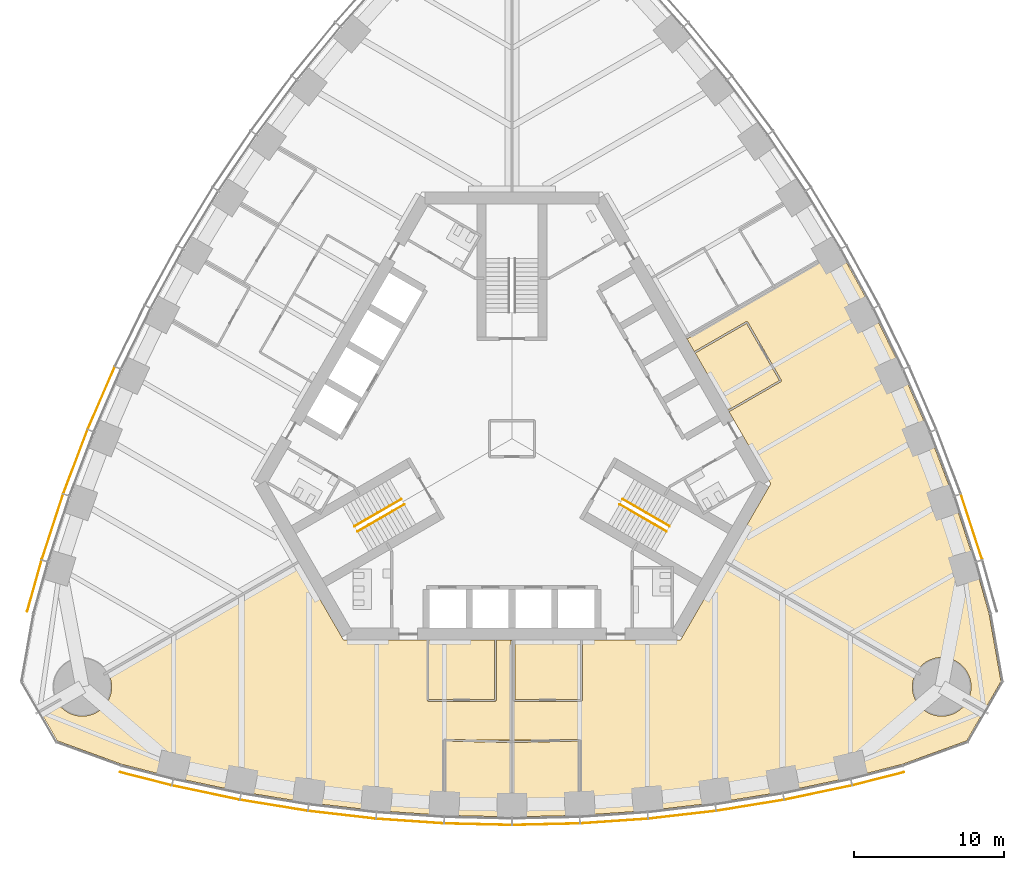
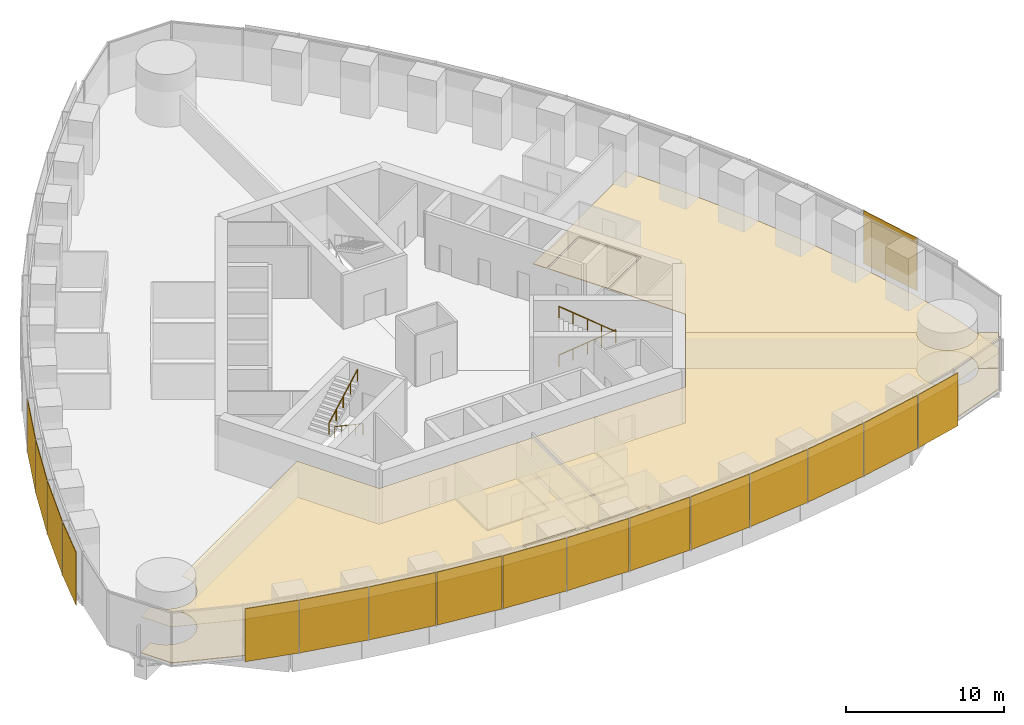
# One storey, part 14 of 18: 17 shading devices, 8 coverings, 4 railings.
"""IFC4 building model written with IfcOpenShell, lengths in metres."""

from ifc_helpers import new_model, si_unit, direction, frame, origin, origin_2d, place, context, subcontext, project, spatial, polyline, rectangle, circle, outline, extrude, material, layer, layer_set, type_object, element, save


model = new_model("IFC4")

# Units and contexts
model_context = context("Model", 3, precision=1e-05, world=origin(), true_north=direction((0.0, 1.0)))
body_context = subcontext(model_context, "Body", "Model", "MODEL_VIEW")
ifc_project = project(units=[si_unit("LENGTHUNIT", "METRE"), si_unit("AREAUNIT", "SQUARE_METRE"), si_unit("VOLUMEUNIT", "CUBIC_METRE"), si_unit("PLANEANGLEUNIT", "RADIAN"), si_unit("MASSUNIT", "GRAM", prefix="KILO")], contexts=[model_context])

# Site, building, storey
site_placement = place(None, origin())
site = spatial("IfcSite", under=ifc_project, at=site_placement, CompositionType="ELEMENT")
building_placement = place(site_placement, origin())
building = spatial("IfcBuilding", under=site, at=building_placement, Name="Trefoil Bronze Tower", CompositionType="ELEMENT")
storey_placement = place(building_placement, frame((0.0, 0.0, 202.300048828125)))
storey = spatial("IfcBuildingStorey", under=building, at=storey_placement, Name="L46", CompositionType="ELEMENT", Elevation=202.300048828125)

# Shading devices
ifc_material_1 = material(Name="Perforated bronze sheet", Category="bronze")
ifc_layer_1 = layer(ifc_material_1, 0.0400390625)
ifc_layer_set_1 = layer_set([ifc_layer_1], Name="Bronze solar screen panel")
shading_device_type = type_object("IfcShadingDeviceType", Name="Bronze solar screen panel", PredefinedType="SHUTTER", material=ifc_layer_set_1)
shading_device_1_placement = place(storey_placement, frame((-24.360107421875, -22.614501953125, 0.0498046875), z_axis=(0.0, 0.0, 1.0), x_axis=(0.968934035393, -0.247319297786, 0.0)))
element("IfcShadingDevice", 1, at=shading_device_1_placement, inside=storey, type_object=shading_device_type, Name="Solar screen CW-A L46 F1 bay 1", PredefinedType="SHUTTER", context=body_context, shape_type="SweptSolid", body=[
    extrude(rectangle(XDim=3.53369140625, YDim=0.0400390625, at=origin_2d()), origin(), (0.0, 0.0, 1.0), 4.10009765625),
])
shading_device_2_placement = place(storey_placement, frame((-20.361572265625, -23.535888671875, 0.0498046875), z_axis=(0.0, 0.0, 1.0), x_axis=(0.978394335897, -0.20674748725, 0.0)))
element("IfcShadingDevice", 2, at=shading_device_2_placement, inside=storey, type_object=shading_device_type, Name="Solar screen CW-A L46 F1 bay 2", PredefinedType="SHUTTER", context=body_context, shape_type="SweptSolid", body=[
    extrude(rectangle(XDim=4.5693359375, YDim=0.0400390625, at=origin_2d()), origin(), (0.0, 0.0, 1.0), 4.10009765625),
])
shading_device_3_placement = place(storey_placement, frame((-15.8369140625, -24.382568359375, 0.0498046875), z_axis=(0.0, 0.0, 1.0), x_axis=(0.986986549528, -0.160802832848, 0.0)))
element("IfcShadingDevice", 3, at=shading_device_3_placement, inside=storey, type_object=shading_device_type, Name="Solar screen CW-A L46 F1 bay 3", PredefinedType="SHUTTER", context=body_context, shape_type="SweptSolid", body=[
    extrude(rectangle(XDim=4.529296875, YDim=0.0400390625, at=origin_2d()), origin(), (0.0, 0.0, 1.0), 4.10009765625),
])
shading_device_4_placement = place(storey_placement, frame((-11.31201171875, -25.0126953125, 0.0498046875), z_axis=(0.0, 0.0, 1.0), x_axis=(0.993381831741, -0.114858767043, 0.0)))
element("IfcShadingDevice", 4, at=shading_device_4_placement, inside=storey, type_object=shading_device_type, Name="Solar screen CW-A L46 F1 bay 4", PredefinedType="SHUTTER", context=body_context, shape_type="SweptSolid", body=[
    extrude(rectangle(XDim=4.5, YDim=0.0400390625, at=origin_2d()), origin(), (0.0, 0.0, 1.0), 4.10009765625),
])
shading_device_5_placement = place(storey_placement, frame((-6.787109375, -25.430419921875, 0.0498046875), z_axis=(0.0, 0.0, 1.0), x_axis=(0.99762252804, -0.068915103905, 0.0)))
element("IfcShadingDevice", 5, at=shading_device_5_placement, inside=storey, type_object=shading_device_type, Name="Solar screen CW-A L46 F1 bay 5", PredefinedType="SHUTTER", context=body_context, shape_type="SweptSolid", body=[
    extrude(rectangle(XDim=4.480712890625, YDim=0.0400390625, at=origin_2d()), origin(), (0.0, 0.0, 1.0), 4.10009765625),
])
for number, where, z_axis, x_axis, name in (
    (6, (-2.262451171875, -25.638671875, 0.0498046875), (0.0, 0.0, 1.0), (0.999736116243, -0.022971675577, 0.0), "Solar screen CW-A L46 F1 bay 6"),
    (7, (2.262451171875, -25.638671875, 0.0498046875), (0.0, 0.0, 1.0), (0.999736116243, 0.022971675577, 0.0), "Solar screen CW-A L46 F1 bay 7"),
):
    element("IfcShadingDevice", number, at=place(storey_placement, frame(where, z_axis=z_axis, x_axis=x_axis)), inside=storey, type_object=shading_device_type, Name=name, PredefinedType="SHUTTER", context=body_context, shape_type="SweptSolid", body=[
        extrude(rectangle(XDim=4.47119140625, YDim=0.0400390625, at=origin_2d()), origin(), (0.0, 0.0, 1.0), 4.10009765625),
    ])
shading_device_6_placement = place(storey_placement, frame((6.787109375, -25.430419921875, 0.0498046875), z_axis=(0.0, 0.0, 1.0), x_axis=(0.99762252804, 0.068915103905, 0.0)))
element("IfcShadingDevice", 8, at=shading_device_6_placement, inside=storey, type_object=shading_device_type, Name="Solar screen CW-A L46 F1 bay 8", PredefinedType="SHUTTER", context=body_context, shape_type="SweptSolid", body=[
    extrude(rectangle(XDim=4.480712890625, YDim=0.0400390625, at=origin_2d()), origin(), (0.0, 0.0, 1.0), 4.10009765625),
])
shading_device_7_placement = place(storey_placement, frame((11.31201171875, -25.0126953125, 0.0498046875), z_axis=(0.0, 0.0, 1.0), x_axis=(0.993381831741, 0.114858767043, 0.0)))
element("IfcShadingDevice", 9, at=shading_device_7_placement, inside=storey, type_object=shading_device_type, Name="Solar screen CW-A L46 F1 bay 9", PredefinedType="SHUTTER", context=body_context, shape_type="SweptSolid", body=[
    extrude(rectangle(XDim=4.5, YDim=0.0400390625, at=origin_2d()), origin(), (0.0, 0.0, 1.0), 4.10009765625),
])
shading_device_8_placement = place(storey_placement, frame((15.8369140625, -24.382568359375, 0.0498046875), z_axis=(0.0, 0.0, 1.0), x_axis=(0.986986549528, 0.160802832848, 0.0)))
element("IfcShadingDevice", 10, at=shading_device_8_placement, inside=storey, type_object=shading_device_type, Name="Solar screen CW-A L46 F1 bay 10", PredefinedType="SHUTTER", context=body_context, shape_type="SweptSolid", body=[
    extrude(rectangle(XDim=4.529296875, YDim=0.0400390625, at=origin_2d()), origin(), (0.0, 0.0, 1.0), 4.10009765625),
])
shading_device_9_placement = place(storey_placement, frame((20.361572265625, -23.535888671875, 0.0498046875), z_axis=(0.0, 0.0, 1.0), x_axis=(0.978394335897, 0.20674748725, 0.0)))
element("IfcShadingDevice", 11, at=shading_device_9_placement, inside=storey, type_object=shading_device_type, Name="Solar screen CW-A L46 F1 bay 11", PredefinedType="SHUTTER", context=body_context, shape_type="SweptSolid", body=[
    extrude(rectangle(XDim=4.5693359375, YDim=0.0400390625, at=origin_2d()), origin(), (0.0, 0.0, 1.0), 4.10009765625),
])
shading_device_10_placement = place(storey_placement, frame((24.360107421875, -22.614501953125, 0.0498046875), z_axis=(0.0, 0.0, 1.0), x_axis=(0.968934035393, 0.247319297786, 0.0)))
element("IfcShadingDevice", 12, at=shading_device_10_placement, inside=storey, type_object=shading_device_type, Name="Solar screen CW-A L46 F1 bay 12", PredefinedType="SHUTTER", context=body_context, shape_type="SweptSolid", body=[
    extrude(rectangle(XDim=3.53369140625, YDim=0.0400390625, at=origin_2d()), origin(), (0.0, 0.0, 1.0), 4.10009765625),
])
shading_device_11_placement = place(storey_placement, frame((30.5634765625, -5.86572265625, 0.0498046875), z_axis=(0.0, 0.0, 1.0), x_axis=(-0.310148591821, 0.950688093431, 0.0)))
element("IfcShadingDevice", 13, at=shading_device_11_placement, inside=storey, type_object=shading_device_type, Name="Solar screen CW-A L46 F2 bay 2", PredefinedType="SHUTTER", context=body_context, shape_type="SweptSolid", body=[
    extrude(rectangle(XDim=4.5693359375, YDim=0.0400390625, at=origin_2d()), origin(), (0.0, 0.0, 1.0), 4.10009765625),
])
shading_device_12_placement = place(storey_placement, frame((-27.317626953125, 2.709716796875, 0.0498046875), z_axis=(0.0, 0.0, 1.0), x_axis=(-0.397220305764, -0.917723285467, 0.0)))
element("IfcShadingDevice", 14, at=shading_device_12_placement, inside=storey, type_object=shading_device_type, Name="Solar screen CW-A L46 F3 bay 9", PredefinedType="SHUTTER", context=body_context, shape_type="SweptSolid", body=[
    extrude(rectangle(XDim=4.5, YDim=0.0400390625, at=origin_2d()), origin(), (0.0, 0.0, 1.0), 4.10009765625),
])
shading_device_13_placement = place(storey_placement, frame((-29.0341796875, -1.52392578125, 0.0498046875), z_axis=(0.0, 0.0, 1.0), x_axis=(-0.354233936517, -0.935156841508, 0.0)))
element("IfcShadingDevice", 15, at=shading_device_13_placement, inside=storey, type_object=shading_device_type, Name="Solar screen CW-A L46 F3 bay 10", PredefinedType="SHUTTER", context=body_context, shape_type="SweptSolid", body=[
    extrude(rectangle(XDim=4.529296875, YDim=0.0400390625, at=origin_2d()), origin(), (0.0, 0.0, 1.0), 4.10009765625),
])
shading_device_14_placement = place(storey_placement, frame((-30.5634765625, -5.86572265625, 0.0498046875), z_axis=(0.0, 0.0, 1.0), x_axis=(-0.310148591821, -0.950688093431, 0.0)))
element("IfcShadingDevice", 16, at=shading_device_14_placement, inside=storey, type_object=shading_device_type, Name="Solar screen CW-A L46 F3 bay 11", PredefinedType="SHUTTER", context=body_context, shape_type="SweptSolid", body=[
    extrude(rectangle(XDim=4.5693359375, YDim=0.0400390625, at=origin_2d()), origin(), (0.0, 0.0, 1.0), 4.10009765625),
])
shading_device_15_placement = place(storey_placement, frame((-31.764892578125, -9.7890625, 0.0498046875), z_axis=(0.0, 0.0, 1.0), x_axis=(-0.270282222968, -0.962781138134, 0.0)))
element("IfcShadingDevice", 17, at=shading_device_15_placement, inside=storey, type_object=shading_device_type, Name="Solar screen CW-A L46 F3 bay 12", PredefinedType="SHUTTER", context=body_context, shape_type="SweptSolid", body=[
    extrude(rectangle(XDim=3.53369140625, YDim=0.0400390625, at=origin_2d()), origin(), (0.0, 0.0, 1.0), 4.10009765625),
])

# Railings
ifc_material_2 = material(Name="Steel handrail", Category="steel")
railing_type = type_object("IfcRailingType", Name="Handrail 900", PredefinedType="HANDRAIL", material=ifc_material_2)
railing_1_placement = place(storey_placement, frame((7.365966796875, -4.021728515625, 0.161376953125)))
element("IfcRailing", 18, at=railing_1_placement, inside=storey, type_object=railing_type, Name="Handrail ST1 flight 1 L46", PredefinedType="HANDRAIL", context=body_context, shape_type="SweptSolid", body=[
    extrude(circle(Radius=0.02392578125, at=origin_2d()), frame((0.0, 0.0, 0.8759765625), z_axis=(0.76250339821, -0.440245697338, 0.474101564745), x_axis=(0.500012057535, 0.866018442252, 0.0)), (0.0, 0.0, 1.0), 4.088623046875),
    extrude(circle(Radius=0.02099609375, at=origin_2d()), origin(), (0.0, 0.0, 1.0), 0.851806640625),
    extrude(circle(Radius=0.02099609375, at=origin_2d()), frame((0.779296875, -0.449951171875, 0.484619140625)), (0.0, 0.0, 1.0), 0.851806640625),
    extrude(circle(Radius=0.02099609375, at=origin_2d()), frame((1.558837890625, -0.89990234375, 0.96923828125)), (0.0, 0.0, 1.0), 0.851806640625),
    extrude(circle(Radius=0.02099609375, at=origin_2d()), frame((2.33837890625, -1.35009765625, 1.453857421875)), (0.0, 0.0, 1.0), 0.851806640625),
    extrude(circle(Radius=0.02099609375, at=origin_2d()), frame((3.11767578125, -1.800048828125, 1.9384765625)), (0.0, 0.0, 1.0), 0.851806640625),
])
railing_2_placement = place(storey_placement, frame((10.28369140625, -6.168212890625, 2.261474609375)))
element("IfcRailing", 19, at=railing_2_placement, inside=storey, type_object=railing_type, Name="Handrail ST1 flight 2 L46", PredefinedType="HANDRAIL", context=body_context, shape_type="SweptSolid", body=[
    extrude(circle(Radius=0.02392578125, at=origin_2d()), frame((0.0, 0.0, 0.8759765625), z_axis=(-0.76250339821, 0.440245697338, 0.474101564745), x_axis=(-0.500012057535, -0.866018442252, 0.0)), (0.0, 0.0, 1.0), 4.088623046875),
    extrude(circle(Radius=0.02099609375, at=origin_2d()), origin(), (0.0, 0.0, 1.0), 0.851806640625),
    extrude(circle(Radius=0.02099609375, at=origin_2d()), frame((-0.779296875, 0.449951171875, 0.484619140625)), (0.0, 0.0, 1.0), 0.851806640625),
    extrude(circle(Radius=0.02099609375, at=origin_2d()), frame((-1.558837890625, 0.89990234375, 0.96923828125)), (0.0, 0.0, 1.0), 0.851806640625),
    extrude(circle(Radius=0.02099609375, at=origin_2d()), frame((-2.33837890625, 1.35009765625, 1.453857421875)), (0.0, 0.0, 1.0), 0.851806640625),
    extrude(circle(Radius=0.02099609375, at=origin_2d()), frame((-3.11767578125, 1.800048828125, 1.9384765625)), (0.0, 0.0, 1.0), 0.851806640625),
])
railing_3_placement = place(storey_placement, frame((-7.166015625, -4.3681640625, 0.161376953125)))
element("IfcRailing", 20, at=railing_3_placement, inside=storey, type_object=railing_type, Name="Handrail ST3 flight 1 L46", PredefinedType="HANDRAIL", context=body_context, shape_type="SweptSolid", body=[
    extrude(circle(Radius=0.02392578125, at=origin_2d()), frame((0.0, 0.0, 0.8759765625), z_axis=(-0.76250339821, -0.440245697338, 0.474101564745), x_axis=(0.500012057535, -0.866018442252, 0.0)), (0.0, 0.0, 1.0), 4.088623046875),
    extrude(circle(Radius=0.02099609375, at=origin_2d()), origin(), (0.0, 0.0, 1.0), 0.851806640625),
    extrude(circle(Radius=0.02099609375, at=origin_2d()), frame((-0.779296875, -0.449951171875, 0.484619140625)), (0.0, 0.0, 1.0), 0.851806640625),
    extrude(circle(Radius=0.02099609375, at=origin_2d()), frame((-1.558837890625, -0.89990234375, 0.96923828125)), (0.0, 0.0, 1.0), 0.851806640625),
    extrude(circle(Radius=0.02099609375, at=origin_2d()), frame((-2.33837890625, -1.35009765625, 1.453857421875)), (0.0, 0.0, 1.0), 0.851806640625),
    extrude(circle(Radius=0.02099609375, at=origin_2d()), frame((-3.11767578125, -1.800048828125, 1.9384765625)), (0.0, 0.0, 1.0), 0.851806640625),
])
railing_4_placement = place(storey_placement, frame((-10.483642578125, -5.82177734375, 2.261474609375)))
element("IfcRailing", 21, at=railing_4_placement, inside=storey, type_object=railing_type, Name="Handrail ST3 flight 2 L46", PredefinedType="HANDRAIL", context=body_context, shape_type="SweptSolid", body=[
    extrude(circle(Radius=0.02392578125, at=origin_2d()), frame((0.0, 0.0, 0.8759765625), z_axis=(0.76250339821, 0.440245697338, 0.474101564745), x_axis=(-0.500012057535, 0.866018442252, 0.0)), (0.0, 0.0, 1.0), 4.088623046875),
    extrude(circle(Radius=0.02099609375, at=origin_2d()), origin(), (0.0, 0.0, 1.0), 0.851806640625),
    extrude(circle(Radius=0.02099609375, at=origin_2d()), frame((0.779296875, 0.449951171875, 0.484619140625)), (0.0, 0.0, 1.0), 0.851806640625),
    extrude(circle(Radius=0.02099609375, at=origin_2d()), frame((1.558837890625, 0.89990234375, 0.96923828125)), (0.0, 0.0, 1.0), 0.851806640625),
    extrude(circle(Radius=0.02099609375, at=origin_2d()), frame((2.33837890625, 1.35009765625, 1.453857421875)), (0.0, 0.0, 1.0), 0.851806640625),
    extrude(circle(Radius=0.02099609375, at=origin_2d()), frame((3.11767578125, 1.800048828125, 1.9384765625)), (0.0, 0.0, 1.0), 0.851806640625),
])

# Coverings
ifc_material_3 = material(Name="Acoustic ceiling panels", Category="mineral fibre")
ifc_layer_2 = layer(ifc_material_3, 0.02001953125)
ifc_layer_set_2 = layer_set([ifc_layer_2], Name="Office ceiling 20")
covering_type_1 = type_object("IfcCoveringType", Name="Office ceiling 20", PredefinedType="CEILING", material=ifc_layer_set_2)
covering_1_placement = place(storey_placement, frame((0.0, 0.0, 2.89990234375)))
element("IfcCovering", 22, at=covering_1_placement, inside=storey, type_object=covering_type_1, Name="Ceiling L46 Open-plan office F1", PredefinedType="CEILING", context=body_context, shape_type="SweptSolid", body=[
    extrude(outline(polyline([(-30.2001953125, -17.58349609375), (-30.14501953125, -17.66162109375), (-30.086181640625, -17.737060546875), (-30.023681640625, -17.8095703125), (-29.957763671875, -17.87890625), (-29.888427734375, -17.94482421875), (-29.81591796875, -18.00732421875), (-29.740478515625, -18.06640625), (-29.662109375, -18.121337890625), (-29.581298828125, -18.172607421875), (-29.498046875, -18.2197265625), (-29.41259765625, -18.2626953125), (-29.3251953125, -18.301513671875), (-29.23583984375, -18.3359375), (-29.14501953125, -18.365966796875), (-29.052490234375, -18.3916015625), (-28.959228515625, -18.41259765625), (-28.864990234375, -18.428955078125), (-28.77001953125, -18.440673828125), (-28.674560546875, -18.44775390625), (-28.578857421875, -18.449951171875), (-28.483154296875, -18.44775390625), (-28.3876953125, -18.440673828125), (-28.292724609375, -18.428955078125), (-28.198486328125, -18.41259765625), (-28.10498046875, -18.3916015625), (-28.0126953125, -18.365966796875), (-27.921875, -18.3359375), (-27.83251953125, -18.301513671875), (-27.7451171875, -18.2626953125), (-27.65966796875, -18.2197265625), (-27.576416015625, -18.172607421875), (-27.49560546875, -18.121337890625), (-27.417236328125, -18.06640625), (-27.341796875, -18.00732421875), (-27.269287109375, -17.94482421875), (-27.199951171875, -17.87890625), (-27.134033203125, -17.8095703125), (-27.071533203125, -17.737060546875), (-27.0126953125, -17.66162109375), (-26.95751953125, -17.58349609375), (-26.90625, -17.50244140625), (-26.859130859375, -17.419189453125), (-26.816162109375, -17.333740234375), (-26.77734375, -17.24609375), (-26.742919921875, -17.156982421875), (-26.712890625, -17.066162109375), (-26.687255859375, -16.973876953125), (-26.666259765625, -16.88037109375), (-26.64990234375, -16.7861328125), (-26.63818359375, -16.691162109375), (-26.631103515625, -16.595703125), (-26.62890625, -16.5), (-26.631103515625, -16.404296875), (-26.63818359375, -16.308837890625), (-26.64990234375, -16.2138671875), (-26.666259765625, -16.11962890625), (-26.687255859375, -16.026123046875), (-26.712890625, -15.933837890625), (-26.742919921875, -15.843017578125), (-26.77734375, -15.75390625), (-26.816162109375, -15.666259765625), (-26.859130859375, -15.580810546875), (-26.884765625, -15.535400390625), (-14.19970703125, -8.205322265625), (-11.20068359375, -13.39990234375), (11.20068359375, -13.39990234375), (14.19970703125, -8.205322265625), (26.884765625, -15.535400390625), (26.859130859375, -15.580810546875), (26.816162109375, -15.666259765625), (26.77734375, -15.75390625), (26.742919921875, -15.843017578125), (26.712890625, -15.933837890625), (26.687255859375, -16.026123046875), (26.666259765625, -16.11962890625), (26.64990234375, -16.2138671875), (26.63818359375, -16.308837890625), (26.631103515625, -16.404296875), (26.62890625, -16.5), (26.631103515625, -16.595703125), (26.63818359375, -16.691162109375), (26.64990234375, -16.7861328125), (26.666259765625, -16.88037109375), (26.687255859375, -16.973876953125), (26.712890625, -17.066162109375), (26.742919921875, -17.156982421875), (26.77734375, -17.24609375), (26.816162109375, -17.333740234375), (26.859130859375, -17.419189453125), (26.90625, -17.50244140625), (26.95751953125, -17.58349609375), (27.0126953125, -17.66162109375), (27.071533203125, -17.737060546875), (27.134033203125, -17.8095703125), (27.199951171875, -17.87890625), (27.269287109375, -17.94482421875), (27.341796875, -18.00732421875), (27.417236328125, -18.06640625), (27.49560546875, -18.121337890625), (27.576416015625, -18.172607421875), (27.65966796875, -18.2197265625), (27.7451171875, -18.2626953125), (27.83251953125, -18.301513671875), (27.921875, -18.3359375), (28.0126953125, -18.365966796875), (28.10498046875, -18.3916015625), (28.198486328125, -18.41259765625), (28.292724609375, -18.428955078125), (28.3876953125, -18.440673828125), (28.483154296875, -18.44775390625), (28.578857421875, -18.449951171875), (28.674560546875, -18.44775390625), (28.77001953125, -18.440673828125), (28.864990234375, -18.428955078125), (28.959228515625, -18.41259765625), (29.052490234375, -18.3916015625), (29.14501953125, -18.365966796875), (29.23583984375, -18.3359375), (29.3251953125, -18.301513671875), (29.41259765625, -18.2626953125), (29.498046875, -18.2197265625), (29.581298828125, -18.172607421875), (29.662109375, -18.121337890625), (29.740478515625, -18.06640625), (29.81591796875, -18.00732421875), (29.888427734375, -17.94482421875), (29.957763671875, -17.87890625), (30.023681640625, -17.8095703125), (30.086181640625, -17.737060546875), (30.14501953125, -17.66162109375), (30.2001953125, -17.58349609375), (30.2607421875, -17.486083984375), (31.37158203125, -18.1279296875), (30.23828125, -20.0908203125), (25.952880859375, -21.650634765625), (22.5, -22.531982421875), (18.0, -23.48291015625), (13.5, -24.216064453125), (9.0, -24.736328125), (4.5, -25.047119140625), (0.0, -25.150634765625), (-4.5, -25.047119140625), (-9.0, -24.736328125), (-13.5, -24.216064453125), (-18.0, -23.48291015625), (-22.5, -22.531982421875), (-25.952880859375, -21.650634765625), (-30.23828125, -20.0908203125), (-31.37158203125, -18.1279296875), (-30.2607421875, -17.486083984375), (-30.2001953125, -17.58349609375)])), origin(), (0.0, 0.0, 1.0), 0.02001953125),
])
ifc_material_4 = material(Name="Raised access floor panels", Category="steel")
ifc_layer_3 = layer(ifc_material_4, 0.050048828125)
ifc_layer_set_3 = layer_set([ifc_layer_3], Name="Raised access floor 150")
covering_type_2 = type_object("IfcCoveringType", Name="Raised access floor 150", PredefinedType="FLOORING", material=ifc_layer_set_3)
covering_2_placement = place(storey_placement, frame((0.0, 0.0, 0.099853515625)))
element("IfcCovering", 23, at=covering_2_placement, inside=storey, type_object=covering_type_2, Name="Raised floor L46 Project room F1", PredefinedType="FLOORING", context=body_context, shape_type="SweptSolid", body=[
    extrude(outline(polyline([(-1.159912109375, -13.39990234375), (-1.159912109375, -17.340087890625), (-5.5400390625, -17.340087890625), (-5.5400390625, -13.39990234375), (-1.159912109375, -13.39990234375)])), origin(), (0.0, 0.0, 1.0), 0.050048828125),
])
covering_3_placement = place(storey_placement, frame((0.0, 0.0, 0.099853515625)))
element("IfcCovering", 24, at=covering_3_placement, inside=storey, type_object=covering_type_2, Name="Raised floor L46 Project room F1", PredefinedType="FLOORING", context=body_context, shape_type="SweptSolid", body=[
    extrude(outline(polyline([(4.56494140625, -13.39990234375), (4.56494140625, -17.340087890625), (0.18505859375, -17.340087890625), (0.18505859375, -13.39990234375), (4.56494140625, -13.39990234375)])), origin(), (0.0, 0.0, 1.0), 0.050048828125),
])
covering_4_placement = place(storey_placement, frame((0.0, 0.0, 0.099853515625)))
element("IfcCovering", 25, at=covering_4_placement, inside=storey, type_object=covering_type_2, Name="Raised floor L46 Kitchen and breakout F1", PredefinedType="FLOORING", context=body_context, shape_type="SweptSolid", body=[
    extrude(outline(polyline([(0.0, -25.150634765625), (-4.5, -25.047119140625), (-4.5, -23.41552734375), (-4.43994140625, -23.41552734375), (-4.43994140625, -20.108642578125), (-0.074951171875, -20.208984375), (-0.074951171875, -23.5205078125), (0.074951171875, -23.5205078125), (0.074951171875, -20.208984375), (4.43994140625, -20.108642578125), (4.43994140625, -23.41552734375), (4.5, -23.41552734375), (4.5, -25.047119140625), (0.0, -25.150634765625)])), origin(), (0.0, 0.0, 1.0), 0.050048828125),
])
covering_5_placement = place(storey_placement, frame((0.0, 0.0, 0.099853515625)))
element("IfcCovering", 26, at=covering_5_placement, inside=storey, type_object=covering_type_2, Name="Raised floor L46 Open-plan office F1", PredefinedType="FLOORING", context=body_context, shape_type="SweptSolid", body=[
    extrude(outline(polyline([(4.5, -25.047119140625), (4.5, -23.41552734375), (4.56005859375, -23.41552734375), (4.56005859375, -20.047119140625), (4.5, -20.047119140625), (4.49853515625, -19.9873046875), (1.88818359375, -20.047119140625), (0.074951171875, -20.047119140625), (0.074951171875, -17.39990234375), (0.125, -17.39990234375), (0.125, -17.4599609375), (4.625, -17.4599609375), (4.625, -17.39990234375), (4.68505859375, -17.39990234375), (4.68505859375, -13.39990234375), (11.20068359375, -13.39990234375), (14.19970703125, -8.205322265625), (26.884765625, -15.535400390625), (26.859130859375, -15.580810546875), (26.816162109375, -15.666259765625), (26.77734375, -15.75390625), (26.742919921875, -15.843017578125), (26.712890625, -15.933837890625), (26.687255859375, -16.026123046875), (26.666259765625, -16.11962890625), (26.64990234375, -16.2138671875), (26.63818359375, -16.308837890625), (26.631103515625, -16.404296875), (26.62890625, -16.5), (26.631103515625, -16.595703125), (26.63818359375, -16.691162109375), (26.64990234375, -16.7861328125), (26.666259765625, -16.88037109375), (26.687255859375, -16.973876953125), (26.712890625, -17.066162109375), (26.742919921875, -17.156982421875), (26.77734375, -17.24609375), (26.816162109375, -17.333740234375), (26.859130859375, -17.419189453125), (26.90625, -17.50244140625), (26.95751953125, -17.58349609375), (27.0126953125, -17.66162109375), (27.071533203125, -17.737060546875), (27.134033203125, -17.8095703125), (27.199951171875, -17.87890625), (27.269287109375, -17.94482421875), (27.341796875, -18.00732421875), (27.417236328125, -18.06640625), (27.49560546875, -18.121337890625), (27.576416015625, -18.172607421875), (27.65966796875, -18.2197265625), (27.7451171875, -18.2626953125), (27.83251953125, -18.301513671875), (27.921875, -18.3359375), (28.0126953125, -18.365966796875), (28.10498046875, -18.3916015625), (28.198486328125, -18.41259765625), (28.292724609375, -18.428955078125), (28.3876953125, -18.440673828125), (28.483154296875, -18.44775390625), (28.578857421875, -18.449951171875), (28.674560546875, -18.44775390625), (28.77001953125, -18.440673828125), (28.864990234375, -18.428955078125), (28.959228515625, -18.41259765625), (29.052490234375, -18.3916015625), (29.14501953125, -18.365966796875), (29.23583984375, -18.3359375), (29.3251953125, -18.301513671875), (29.41259765625, -18.2626953125), (29.498046875, -18.2197265625), (29.581298828125, -18.172607421875), (29.662109375, -18.121337890625), (29.740478515625, -18.06640625), (29.81591796875, -18.00732421875), (29.888427734375, -17.94482421875), (29.957763671875, -17.87890625), (30.023681640625, -17.8095703125), (30.086181640625, -17.737060546875), (30.14501953125, -17.66162109375), (30.2001953125, -17.58349609375), (30.2607421875, -17.486083984375), (31.37158203125, -18.1279296875), (30.23828125, -20.0908203125), (25.952880859375, -21.650634765625), (22.5, -22.531982421875), (18.0, -23.48291015625), (13.5, -24.216064453125), (9.0, -24.736328125), (4.5, -25.047119140625)])), origin(), (0.0, 0.0, 1.0), 0.050048828125),
])
covering_6_placement = place(storey_placement, frame((0.0, 0.0, 0.099853515625)))
element("IfcCovering", 27, at=covering_6_placement, inside=storey, type_object=covering_type_2, Name="Raised floor L46 Open-plan office F1", PredefinedType="FLOORING", context=body_context, shape_type="SweptSolid", body=[
    extrude(outline(polyline([(-26.884765625, -15.535400390625), (-14.19970703125, -8.205322265625), (-11.20068359375, -13.39990234375), (-5.659912109375, -13.39990234375), (-5.659912109375, -17.39990234375), (-5.60009765625, -17.39990234375), (-5.60009765625, -17.4599609375), (-1.10009765625, -17.4599609375), (-1.10009765625, -17.39990234375), (-1.0400390625, -17.39990234375), (-1.0400390625, -13.39990234375), (-0.0009765625, -13.39990234375), (-0.0009765625, -13.409912109375), (-0.074951171875, -13.409912109375), (-0.074951171875, -20.047119140625), (-1.88818359375, -20.047119140625), (-4.49853515625, -19.9873046875), (-4.5, -20.047119140625), (-4.56005859375, -20.047119140625), (-4.56005859375, -23.41552734375), (-4.5, -23.41552734375), (-4.5, -25.047119140625), (-9.0, -24.736328125), (-13.5, -24.216064453125), (-18.0, -23.48291015625), (-22.5, -22.531982421875), (-25.952880859375, -21.650634765625), (-30.23828125, -20.0908203125), (-31.37158203125, -18.1279296875), (-30.2607421875, -17.486083984375), (-30.2001953125, -17.58349609375), (-30.14501953125, -17.66162109375), (-30.086181640625, -17.737060546875), (-30.023681640625, -17.8095703125), (-29.957763671875, -17.87890625), (-29.888427734375, -17.94482421875), (-29.81591796875, -18.00732421875), (-29.740478515625, -18.06640625), (-29.662109375, -18.121337890625), (-29.581298828125, -18.172607421875), (-29.498046875, -18.2197265625), (-29.41259765625, -18.2626953125), (-29.3251953125, -18.301513671875), (-29.23583984375, -18.3359375), (-29.14501953125, -18.365966796875), (-29.052490234375, -18.3916015625), (-28.959228515625, -18.41259765625), (-28.864990234375, -18.428955078125), (-28.77001953125, -18.440673828125), (-28.674560546875, -18.44775390625), (-28.578857421875, -18.449951171875), (-28.483154296875, -18.44775390625), (-28.3876953125, -18.440673828125), (-28.292724609375, -18.428955078125), (-28.198486328125, -18.41259765625), (-28.10498046875, -18.3916015625), (-28.0126953125, -18.365966796875), (-27.921875, -18.3359375), (-27.83251953125, -18.301513671875), (-27.7451171875, -18.2626953125), (-27.65966796875, -18.2197265625), (-27.576416015625, -18.172607421875), (-27.49560546875, -18.121337890625), (-27.417236328125, -18.06640625), (-27.341796875, -18.00732421875), (-27.269287109375, -17.94482421875), (-27.199951171875, -17.87890625), (-27.134033203125, -17.8095703125), (-27.071533203125, -17.737060546875), (-27.0126953125, -17.66162109375), (-26.95751953125, -17.58349609375), (-26.90625, -17.50244140625), (-26.859130859375, -17.419189453125), (-26.816162109375, -17.333740234375), (-26.77734375, -17.24609375), (-26.742919921875, -17.156982421875), (-26.712890625, -17.066162109375), (-26.687255859375, -16.973876953125), (-26.666259765625, -16.88037109375), (-26.64990234375, -16.7861328125), (-26.63818359375, -16.691162109375), (-26.631103515625, -16.595703125), (-26.62890625, -16.5), (-26.631103515625, -16.404296875), (-26.63818359375, -16.308837890625), (-26.64990234375, -16.2138671875), (-26.666259765625, -16.11962890625), (-26.687255859375, -16.026123046875), (-26.712890625, -15.933837890625), (-26.742919921875, -15.843017578125), (-26.77734375, -15.75390625), (-26.816162109375, -15.666259765625), (-26.859130859375, -15.580810546875), (-26.884765625, -15.535400390625)])), origin(), (0.0, 0.0, 1.0), 0.050048828125),
])
covering_7_placement = place(storey_placement, frame((0.0, 0.0, 0.099853515625)))
element("IfcCovering", 28, at=covering_7_placement, inside=storey, type_object=covering_type_2, Name="Raised floor L46 Project room F2", PredefinedType="FLOORING", context=body_context, shape_type="SweptSolid", body=[
    extrude(outline(polyline([(12.184814453125, 5.6953125), (15.596923828125, 7.665283203125), (17.786865234375, 3.872314453125), (14.374755859375, 1.902099609375), (12.184814453125, 5.6953125)])), origin(), (0.0, 0.0, 1.0), 0.050048828125),
])
covering_8_placement = place(storey_placement, frame((0.0, 0.0, 0.099853515625)))
element("IfcCovering", 29, at=covering_8_placement, inside=storey, type_object=covering_type_2, Name="Raised floor L46 Open-plan office F2", PredefinedType="FLOORING", context=body_context, shape_type="SweptSolid", body=[
    extrude(outline(polyline([(14.205810546875, -8.194580078125), (17.205078125, -3.0), (14.434814453125, 1.79833984375), (17.898681640625, 3.79833984375), (17.868896484375, 3.850341796875), (17.9208984375, 3.88037109375), (15.6708984375, 7.77734375), (15.618896484375, 7.747314453125), (15.5888671875, 7.79931640625), (12.124755859375, 5.79931640625), (11.605224609375, 6.69921875), (11.614013671875, 6.7041015625), (11.65087890625, 6.639892578125), (20.406982421875, 11.6953125), (20.3701171875, 11.759521484375), (21.781494140625, 12.574462890625), (23.94140625, 8.62646484375), (25.92236328125, 4.573974609375), (27.7216796875, 0.416748046875), (29.3369140625, -3.846923828125), (30.76318359375, -8.219482421875), (31.7265625, -11.650634765625), (32.518310546875, -16.1416015625), (31.385009765625, -18.1044921875), (30.273681640625, -17.46337890625), (30.298583984375, -17.419189453125), (30.341552734375, -17.333740234375), (30.38037109375, -17.24609375), (30.414794921875, -17.156982421875), (30.44482421875, -17.066162109375), (30.470458984375, -16.973876953125), (30.491455078125, -16.88037109375), (30.5078125, -16.7861328125), (30.519287109375, -16.691162109375), (30.526611328125, -16.595703125), (30.52880859375, -16.5), (30.526611328125, -16.404296875), (30.519287109375, -16.308837890625), (30.5078125, -16.2138671875), (30.491455078125, -16.11962890625), (30.470458984375, -16.026123046875), (30.44482421875, -15.933837890625), (30.414794921875, -15.843017578125), (30.38037109375, -15.75390625), (30.341552734375, -15.666259765625), (30.298583984375, -15.580810546875), (30.25146484375, -15.49755859375), (30.2001953125, -15.41650390625), (30.14501953125, -15.33837890625), (30.086181640625, -15.262939453125), (30.023681640625, -15.1904296875), (29.957763671875, -15.12109375), (29.888427734375, -15.05517578125), (29.81591796875, -14.99267578125), (29.740478515625, -14.93359375), (29.662109375, -14.878662109375), (29.581298828125, -14.827392578125), (29.498046875, -14.7802734375), (29.41259765625, -14.7373046875), (29.3251953125, -14.698486328125), (29.23583984375, -14.6640625), (29.14501953125, -14.634033203125), (29.052490234375, -14.6083984375), (28.959228515625, -14.58740234375), (28.864990234375, -14.571044921875), (28.77001953125, -14.559326171875), (28.674560546875, -14.55224609375), (28.578857421875, -14.550048828125), (28.483154296875, -14.55224609375), (28.3876953125, -14.559326171875), (28.292724609375, -14.571044921875), (28.198486328125, -14.58740234375), (28.10498046875, -14.6083984375), (28.0126953125, -14.634033203125), (27.921875, -14.6640625), (27.83251953125, -14.698486328125), (27.7451171875, -14.7373046875), (27.65966796875, -14.7802734375), (27.576416015625, -14.827392578125), (27.49560546875, -14.878662109375), (27.417236328125, -14.93359375), (27.341796875, -14.99267578125), (27.269287109375, -15.05517578125), (27.199951171875, -15.12109375), (27.134033203125, -15.1904296875), (27.071533203125, -15.262939453125), (27.0126953125, -15.33837890625), (26.95751953125, -15.41650390625), (26.896240234375, -15.51513671875), (14.205810546875, -8.194580078125)])), origin(), (0.0, 0.0, 1.0), 0.050048828125),
])

save(model, "model.ifc")
